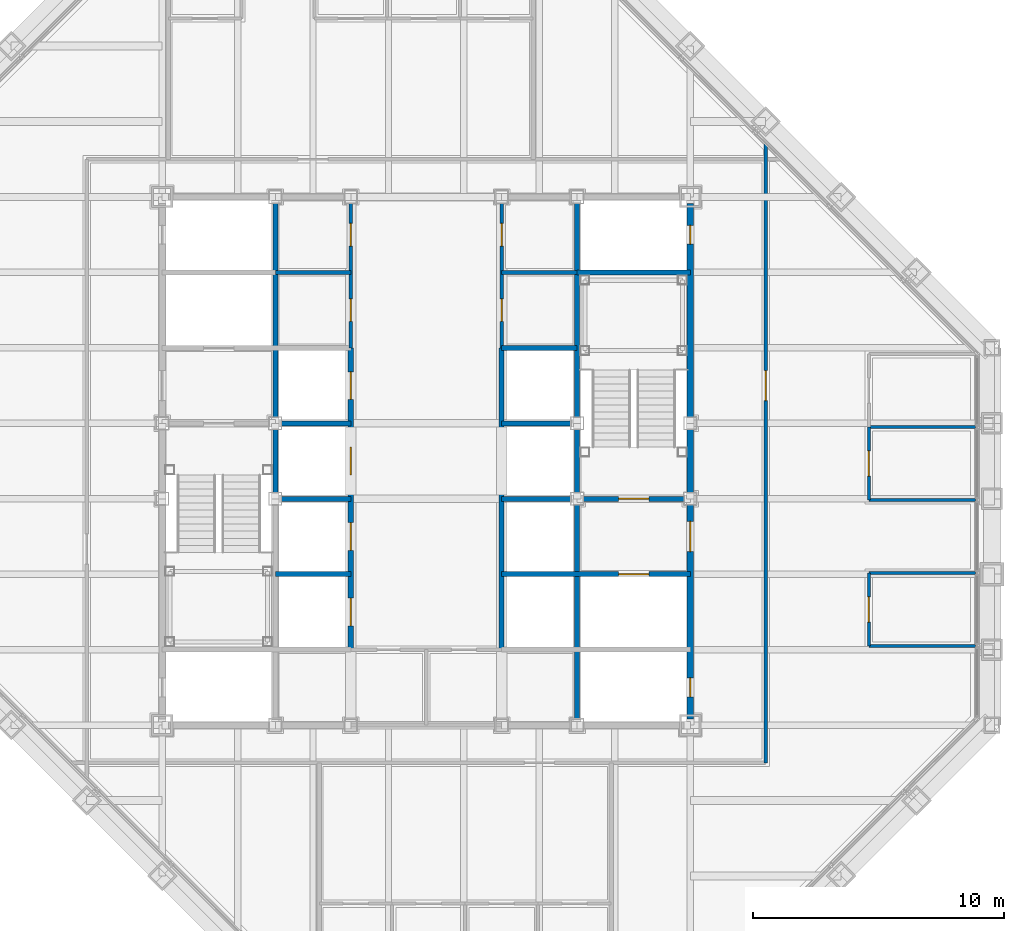
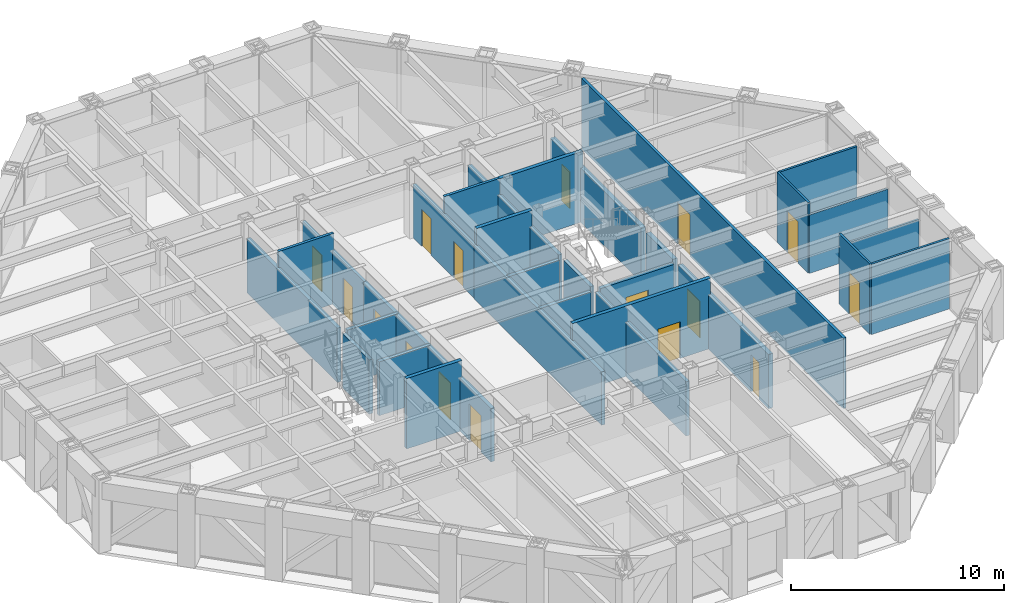
# One storey, part 12 of 16: 30 walls, 16 doors, 16 openings.
"""IFC4 building model written with IfcOpenShell, lengths in metres."""

from ifc_helpers import new_model, si_unit, direction, frame, frame_2d, origin, place, context, subcontext, project, spatial, rectangle, extrude, material, layer, layer_set, type_object, element, fill, save


model = new_model("IFC4")

# Units and contexts
model_context = context("Model", 3, precision=1e-05, world=origin(), true_north=direction((0.0, 1.0)))
body_context = subcontext(model_context, "Body", "Model", "MODEL_VIEW")
ifc_project = project(units=[si_unit("LENGTHUNIT", "METRE"), si_unit("AREAUNIT", "SQUARE_METRE"), si_unit("VOLUMEUNIT", "CUBIC_METRE"), si_unit("PLANEANGLEUNIT", "RADIAN"), si_unit("MASSUNIT", "GRAM", prefix="KILO")], contexts=[model_context])

# Site, building, storey
site_placement = place(None, origin())
site = spatial("IfcSite", under=ifc_project, at=site_placement, CompositionType="ELEMENT")
building_placement = place(site_placement, origin())
building = spatial("IfcBuilding", under=site, at=building_placement, Name="Chuquiago Exchange Tower", CompositionType="ELEMENT")
storey_placement = place(building_placement, frame((0.0, 0.0, 243.300048828125)))
storey = spatial("IfcBuildingStorey", under=building, at=storey_placement, Name="L54", CompositionType="ELEMENT", Elevation=243.300048828125)

# Wall, openings, doors
ifc_material_1 = material(Name="Concrete masonry, fully grouted", Category="masonry")
ifc_layer_1 = layer(ifc_material_1, 0.25)
ifc_layer_set_1 = layer_set([ifc_layer_1], Name="W1 core wall 250")
wall_type_1 = type_object("IfcWallType", Name="W1 core wall 250", PredefinedType="SOLIDWALL", material=ifc_layer_set_1)
wall_1_placement = place(storey_placement, frame((33.0, 12.25, 0.0), z_axis=(0.0, 0.0, 1.0), x_axis=(0.0, 1.0, 0.0)))
wall_1 = element("IfcWall", 1, at=wall_1_placement, inside=storey, type_object=wall_type_1, Name="CW-L54-25-0", PredefinedType="SOLIDWALL", context=body_context, shape_type="SweptSolid", body=[
    extrude(rectangle(XDim=8.5, YDim=0.25, at=frame_2d((4.25, 0.0))), origin(), (0.0, 0.0, 1.0), 3.11279296875),
])
opening_1_placement = place(wall_1_placement, frame((6.64990234375, 0.0, 0.0)))
opening_1 = element("IfcOpeningElement", 2, at=opening_1_placement, cuts=wall_1, Name="Opening L54-004", PredefinedType="OPENING", context=body_context, shape_type="SweptSolid", body=[
    extrude(rectangle(XDim=1.199951171875, YDim=2.10009765625, at=frame_2d((0.60009765625, 1.050048828125))), frame((0.0, 0.135009765625, 0.0), z_axis=(0.0, -1.0, 0.0), x_axis=(1.0, 0.0, 0.0)), (0.0, 0.0, 1.0), 0.27001953125),
])
opening_2_placement = place(wall_1_placement, frame((0.875, 0.0, 0.0)))
opening_2 = element("IfcOpeningElement", 3, at=opening_2_placement, cuts=wall_1, Name="Opening L54-009", PredefinedType="OPENING", context=body_context, shape_type="SweptSolid", body=[
    extrude(rectangle(XDim=0.75, YDim=2.10009765625, at=frame_2d((0.375, 1.050048828125))), frame((0.0, 0.135009765625, 0.0), z_axis=(0.0, -1.0, 0.0), x_axis=(1.0, 0.0, 0.0)), (0.0, 0.0, 1.0), 0.27001953125),
])
ifc_material_2 = material(Name="Steel door, painted", Category="steel")
door_type_1 = type_object("IfcDoorType", Name="D5 firefighting lobby door 1200x2100", OperationType="SINGLE_SWING_LEFT", PredefinedType="DOOR", material=ifc_material_2)
door_1_placement = place(opening_1_placement, origin())
door_1 = element("IfcDoor", 4, at=door_1_placement, inside=storey, type_object=door_type_1, Name="Firefighting lobby 2 door", OperationType="SINGLE_SWING_RIGHT", OverallHeight=2.10009765625, OverallWidth=1.199951171875, PredefinedType="DOOR", context=body_context, shape_type="SweptSolid", body=[
    extrude(rectangle(XDim=1.199951171875, YDim=2.10009765625, at=frame_2d((0.60009765625, 1.050048828125))), frame((0.0, 0.02490234375, 0.0), z_axis=(0.0, -1.0, 0.0), x_axis=(1.0, 0.0, 0.0)), (0.0, 0.0, 1.0), 0.050048828125),
])
fill(opening_1, door_1)
ifc_material_3 = material(Name="Steel door, painted", Category="steel")
door_type_2 = type_object("IfcDoorType", Name="D6 riser access door 750x2100", OperationType="SINGLE_SWING_LEFT", PredefinedType="DOOR", material=ifc_material_3)
door_2_placement = place(opening_2_placement, frame((0.75, 0.0, 0.0), z_axis=(0.0, 0.0, 1.0), x_axis=(-1.0, 0.0, 0.0)))
door_2 = element("IfcDoor", 5, at=door_2_placement, inside=storey, type_object=door_type_2, Name="Riser RE1 door", OperationType="SINGLE_SWING_RIGHT", OverallHeight=2.10009765625, OverallWidth=0.75, PredefinedType="DOOR", context=body_context, shape_type="SweptSolid", body=[
    extrude(rectangle(XDim=0.75, YDim=2.10009765625, at=frame_2d((0.375, 1.050048828125))), frame((0.0, 0.02490234375, 0.0), z_axis=(0.0, -1.0, 0.0), x_axis=(1.0, 0.0, 0.0)), (0.0, 0.0, 1.0), 0.050048828125),
])
fill(opening_2, door_2)

# Wall
wall_2_placement = place(storey_placement, frame((33.0, 21.25, 0.0), z_axis=(0.0, 0.0, 1.0), x_axis=(0.0, 1.0, 0.0)))
element("IfcWall", 6, at=wall_2_placement, inside=storey, type_object=wall_type_1, Name="CW-L54-25-1", PredefinedType="SOLIDWALL", context=body_context, shape_type="SweptSolid", body=[
    extrude(rectangle(XDim=2.5, YDim=0.25, at=frame_2d((1.25, 0.0))), origin(), (0.0, 0.0, 1.0), 3.11279296875),
])

# Wall, opening, door
wall_3_placement = place(storey_placement, frame((33.0, 24.25, 0.0), z_axis=(0.0, 0.0, 1.0), x_axis=(0.0, 1.0, 0.0)))
wall_3 = element("IfcWall", 7, at=wall_3_placement, inside=storey, type_object=wall_type_1, Name="CW-L54-25-2", PredefinedType="SOLIDWALL", context=body_context, shape_type="SweptSolid", body=[
    extrude(rectangle(XDim=8.5, YDim=0.25, at=frame_2d((4.25, 0.0))), origin(), (0.0, 0.0, 1.0), 3.11279296875),
])
opening_3_placement = place(wall_3_placement, frame((6.875, 0.0, 0.0)))
opening_3 = element("IfcOpeningElement", 8, at=opening_3_placement, cuts=wall_3, Name="Opening L54-010", PredefinedType="OPENING", context=body_context, shape_type="SweptSolid", body=[
    extrude(rectangle(XDim=0.75, YDim=2.10009765625, at=frame_2d((0.375, 1.050048828125))), frame((0.0, 0.135009765625, 0.0), z_axis=(0.0, -1.0, 0.0), x_axis=(1.0, 0.0, 0.0)), (0.0, 0.0, 1.0), 0.27001953125),
])
door_3_placement = place(opening_3_placement, frame((0.75, 0.0, 0.0), z_axis=(0.0, 0.0, 1.0), x_axis=(-1.0, 0.0, 0.0)))
door_3 = element("IfcDoor", 9, at=door_3_placement, inside=storey, type_object=door_type_2, Name="Riser RE2 door", OperationType="SINGLE_SWING_LEFT", OverallHeight=2.10009765625, OverallWidth=0.75, PredefinedType="DOOR", context=body_context, shape_type="SweptSolid", body=[
    extrude(rectangle(XDim=0.75, YDim=2.10009765625, at=frame_2d((0.375, 1.050048828125))), frame((0.0, 0.02490234375, 0.0), z_axis=(0.0, -1.0, 0.0), x_axis=(1.0, 0.0, 0.0)), (0.0, 0.0, 1.0), 0.050048828125),
])
fill(opening_3, door_3)

ifc_material_4 = material(Name="Gypsum board on steel studs, acoustic insulation", Category="steel")
ifc_layer_2 = layer(ifc_material_4, 0.14990234375)
ifc_layer_set_2 = layer_set([ifc_layer_2], Name="W11 corridor wall 150")
wall_type_2 = type_object("IfcWallType", Name="W11 corridor wall 150", PredefinedType="PARTITIONING", material=ifc_layer_set_2)
wall_4_placement = place(storey_placement, frame((36.0, 10.5, 0.0), z_axis=(0.0, 0.0, 1.0), x_axis=(0.0, 1.0, 0.0)))
wall_4 = element("IfcWall", 10, at=wall_4_placement, inside=storey, type_object=wall_type_2, Name="PW-L54-CE", PredefinedType="PARTITIONING", context=body_context, shape_type="SweptSolid", body=[
    extrude(rectangle(XDim=24.614501953125, YDim=0.14990234375, at=frame_2d((12.30712890625, 0.0))), origin(), (0.0, 0.0, 1.0), 4.0400390625),
])
opening_4_placement = place(wall_4_placement, frame((14.39990234375, 0.0, 0.0)))
opening_4 = element("IfcOpeningElement", 11, at=opening_4_placement, cuts=wall_4, Name="Opening L54-040", PredefinedType="OPENING", context=body_context, shape_type="SweptSolid", body=[
    extrude(rectangle(XDim=1.199951171875, YDim=2.39990234375, at=frame_2d((0.60009765625, 1.199951171875))), frame((0.0, 0.0849609375, 0.0), z_axis=(0.0, -1.0, 0.0), x_axis=(1.0, 0.0, 0.0)), (0.0, 0.0, 1.0), 0.169921875),
])
ifc_material_5 = material(Name="Timber door, laminate faced", Category="wood")
door_type_3 = type_object("IfcDoorType", Name="D13 suite entrance door 1200x2400", OperationType="SINGLE_SWING_LEFT", PredefinedType="DOOR", material=ifc_material_5)
door_4_placement = place(opening_4_placement, frame((1.199951171875, 0.0, 0.0), z_axis=(0.0, 0.0, 1.0), x_axis=(-1.0, 0.0, 0.0)))
door_4 = element("IfcDoor", 12, at=door_4_placement, inside=storey, type_object=door_type_3, Name="East suite entrance door", OperationType="SINGLE_SWING_LEFT", OverallHeight=2.39990234375, OverallWidth=1.199951171875, PredefinedType="DOOR", context=body_context, shape_type="SweptSolid", body=[
    extrude(rectangle(XDim=1.199951171875, YDim=2.39990234375, at=frame_2d((0.60009765625, 1.199951171875))), frame((0.0, 0.02490234375, 0.0), z_axis=(0.0, -1.0, 0.0), x_axis=(1.0, 0.0, 0.0)), (0.0, 0.0, 1.0), 0.050048828125),
])
fill(opening_4, door_4)

# Walls
ifc_material_6 = material(Name="Concrete masonry, fully grouted", Category="masonry")
ifc_layer_3 = layer(ifc_material_6, 0.199951171875)
ifc_layer_set_3 = layer_set([ifc_layer_3], Name="W2 shaft wall 200")
wall_type_3 = type_object("IfcWallType", Name="W2 shaft wall 200", PredefinedType="SOLIDWALL", material=ifc_layer_set_3)
for number, where, z_axis, x_axis, name in (
    (13, (16.75, 24.0, 0.0), (0.0, 0.0, 1.0), (1.0, 0.0, 0.0), "CW-L54-05-1"),
    (14, (25.5, 24.0, 0.0), (0.0, 0.0, 1.0), (1.0, 0.0, 0.0), "CW-L54-06-0"),
):
    element("IfcWall", number, at=place(storey_placement, frame(where, z_axis=z_axis, x_axis=x_axis)), inside=storey, type_object=wall_type_3, Name=name, PredefinedType="SOLIDWALL", context=body_context, shape_type="SweptSolid", body=[
        extrude(rectangle(XDim=2.75, YDim=0.199951171875, at=frame_2d((1.375, 0.0))), origin(), (0.0, 0.0, 1.0), 3.08984375),
    ])
wall_5_placement = place(storey_placement, frame((25.5, 27.0, 0.0), z_axis=(0.0, 0.0, 1.0), x_axis=(1.0, 0.0, 0.0)))
element("IfcWall", 15, at=wall_5_placement, inside=storey, type_object=wall_type_3, Name="CW-L54-08-0", PredefinedType="SOLIDWALL", context=body_context, shape_type="SweptSolid", body=[
    extrude(rectangle(XDim=3.0, YDim=0.199951171875, at=frame_2d((1.5, 0.0))), origin(), (0.0, 0.0, 1.0), 4.0400390625),
])
wall_6_placement = place(storey_placement, frame((28.5, 30.0, 0.0), z_axis=(0.0, 0.0, 1.0), x_axis=(1.0, 0.0, 0.0)))
element("IfcWall", 16, at=wall_6_placement, inside=storey, type_object=wall_type_3, Name="CW-L54-10-0", PredefinedType="SOLIDWALL", context=body_context, shape_type="SweptSolid", body=[
    extrude(rectangle(XDim=4.5, YDim=0.199951171875, at=frame_2d((2.25, 0.0))), origin(), (0.0, 0.0, 1.0), 4.0400390625),
])
wall_7_placement = place(storey_placement, frame((16.5, 21.25, 0.0), z_axis=(0.0, 0.0, 1.0), x_axis=(0.0, 1.0, 0.0)))
element("IfcWall", 17, at=wall_7_placement, inside=storey, type_object=wall_type_3, Name="CW-L54-13-1", PredefinedType="SOLIDWALL", context=body_context, shape_type="SweptSolid", body=[
    extrude(rectangle(XDim=2.5, YDim=0.199951171875, at=frame_2d((1.25, 0.0))), origin(), (0.0, 0.0, 1.0), 3.11279296875),
])
wall_8_placement = place(storey_placement, frame((16.5, 24.25, 0.0), z_axis=(0.0, 0.0, 1.0), x_axis=(0.0, 1.0, 0.0)))
element("IfcWall", 18, at=wall_8_placement, inside=storey, type_object=wall_type_3, Name="CW-L54-13-2", PredefinedType="SOLIDWALL", context=body_context, shape_type="SweptSolid", body=[
    extrude(rectangle(XDim=8.5, YDim=0.199951171875, at=frame_2d((4.25, 0.0))), origin(), (0.0, 0.0, 1.0), 3.11279296875),
])
wall_9_placement = place(storey_placement, frame((16.5, 18.0, 0.0), z_axis=(0.0, 0.0, 1.0), x_axis=(1.0, 0.0, 0.0)))
element("IfcWall", 19, at=wall_9_placement, inside=storey, type_object=wall_type_3, Name="CW-L54-14-0", PredefinedType="SOLIDWALL", context=body_context, shape_type="SweptSolid", body=[
    extrude(rectangle(XDim=3.0, YDim=0.199951171875, at=frame_2d((1.5, 0.0))), origin(), (0.0, 0.0, 1.0), 4.0400390625),
])

# Wall, opening, door
wall_10_placement = place(storey_placement, frame((25.5, 18.0, 0.0), z_axis=(0.0, 0.0, 1.0), x_axis=(1.0, 0.0, 0.0)))
wall_10 = element("IfcWall", 20, at=wall_10_placement, inside=storey, type_object=wall_type_3, Name="CW-L54-15-0", PredefinedType="SOLIDWALL", context=body_context, shape_type="SweptSolid", body=[
    extrude(rectangle(XDim=7.5, YDim=0.199951171875, at=frame_2d((3.75, 0.0))), origin(), (0.0, 0.0, 1.0), 4.0400390625),
])
opening_5_placement = place(wall_10_placement, frame((4.64990234375, 0.0, 0.0)))
opening_5 = element("IfcOpeningElement", 21, at=opening_5_placement, cuts=wall_10, Name="Opening L54-006", PredefinedType="OPENING", context=body_context, shape_type="SweptSolid", body=[
    extrude(rectangle(XDim=1.199951171875, YDim=2.10009765625, at=frame_2d((0.60009765625, 1.050048828125))), frame((0.0, 0.10986328125, 0.0), z_axis=(0.0, -1.0, 0.0), x_axis=(1.0, 0.0, 0.0)), (0.0, 0.0, 1.0), 0.219970703125),
])
ifc_material_7 = material(Name="Stainless steel lift landing door", Category="steel")
door_type_4 = type_object("IfcDoorType", Name="LD2 firefighting lift landing door 1200x2100", OperationType="DOUBLE_DOOR_SLIDING", PredefinedType="DOOR", material=ifc_material_7)
door_5_placement = place(opening_5_placement, origin())
door_5 = element("IfcDoor", 22, at=door_5_placement, inside=storey, type_object=door_type_4, Name="Firefighting lift FL2 landing door", OperationType="DOUBLE_DOOR_SLIDING", OverallHeight=2.10009765625, OverallWidth=1.199951171875, PredefinedType="DOOR", context=body_context, shape_type="SweptSolid", body=[
    extrude(rectangle(XDim=1.199951171875, YDim=2.10009765625, at=frame_2d((0.60009765625, 1.050048828125))), frame((0.0, 0.02490234375, 0.0), z_axis=(0.0, -1.0, 0.0), x_axis=(1.0, 0.0, 0.0)), (0.0, 0.0, 1.0), 0.050048828125),
])
fill(opening_5, door_5)

# Walls
for number, where, z_axis, x_axis, name in (
    (23, (16.75, 21.0, 0.0), (0.0, 0.0, 1.0), (1.0, 0.0, 0.0), "CW-L54-16-0"),
    (24, (25.5, 21.0, 0.0), (0.0, 0.0, 1.0), (1.0, 0.0, 0.0), "CW-L54-17-0"),
):
    element("IfcWall", number, at=place(storey_placement, frame(where, z_axis=z_axis, x_axis=x_axis)), inside=storey, type_object=wall_type_3, Name=name, PredefinedType="SOLIDWALL", context=body_context, shape_type="SweptSolid", body=[
        extrude(rectangle(XDim=2.75, YDim=0.199951171875, at=frame_2d((1.375, 0.0))), origin(), (0.0, 0.0, 1.0), 3.08984375),
    ])

# Wall, opening, door
wall_11_placement = place(storey_placement, frame((28.75, 21.0, 0.0), z_axis=(0.0, 0.0, 1.0), x_axis=(1.0, 0.0, 0.0)))
wall_11 = element("IfcWall", 25, at=wall_11_placement, inside=storey, type_object=wall_type_3, Name="CW-L54-17-1", PredefinedType="SOLIDWALL", context=body_context, shape_type="SweptSolid", body=[
    extrude(rectangle(XDim=4.0, YDim=0.199951171875, at=frame_2d((2.0, 0.0))), origin(), (0.0, 0.0, 1.0), 3.08984375),
])
opening_6_placement = place(wall_11_placement, frame((1.39990234375, 0.0, 0.0)))
opening_6 = element("IfcOpeningElement", 26, at=opening_6_placement, cuts=wall_11, Name="Opening L54-003", PredefinedType="OPENING", context=body_context, shape_type="SweptSolid", body=[
    extrude(rectangle(XDim=1.199951171875, YDim=2.10009765625, at=frame_2d((0.60009765625, 1.050048828125))), frame((0.0, 0.10986328125, 0.0), z_axis=(0.0, -1.0, 0.0), x_axis=(1.0, 0.0, 0.0)), (0.0, 0.0, 1.0), 0.219970703125),
])
ifc_material_8 = material(Name="Steel door, painted", Category="steel")
door_type_5 = type_object("IfcDoorType", Name="D4 stair door 1200x2100", OperationType="SINGLE_SWING_LEFT", PredefinedType="DOOR", material=ifc_material_8)
door_6_placement = place(opening_6_placement, origin())
door_6 = element("IfcDoor", 27, at=door_6_placement, inside=storey, type_object=door_type_5, Name="Stair ST2 door", OperationType="SINGLE_SWING_LEFT", OverallHeight=2.10009765625, OverallWidth=1.199951171875, PredefinedType="DOOR", context=body_context, shape_type="SweptSolid", body=[
    extrude(rectangle(XDim=1.199951171875, YDim=2.10009765625, at=frame_2d((0.60009765625, 1.050048828125))), frame((0.0, 0.02490234375, 0.0), z_axis=(0.0, -1.0, 0.0), x_axis=(1.0, 0.0, 0.0)), (0.0, 0.0, 1.0), 0.050048828125),
])
fill(opening_6, door_6)

# Wall, openings, doors
wall_12_placement = place(storey_placement, frame((19.5, 15.0, 0.0), z_axis=(0.0, 0.0, 1.0), x_axis=(0.0, 1.0, 0.0)))
wall_12 = element("IfcWall", 28, at=wall_12_placement, inside=storey, type_object=wall_type_3, Name="CW-L54-19-0", PredefinedType="SOLIDWALL", context=body_context, shape_type="SweptSolid", body=[
    extrude(rectangle(XDim=12.0, YDim=0.199951171875, at=frame_2d((6.0, 0.0))), origin(), (0.0, 0.0, 1.0), 3.064453125),
])
opening_7_placement = place(wall_12_placement, frame((0.949951171875, 0.0, 0.0)))
opening_7 = element("IfcOpeningElement", 29, at=opening_7_placement, cuts=wall_12, Name="Opening L54-017", PredefinedType="OPENING", context=body_context, shape_type="SweptSolid", body=[
    extrude(rectangle(XDim=1.10009765625, YDim=2.10009765625, at=frame_2d((0.550048828125, 1.050048828125))), frame((0.0, 0.10986328125, 0.0), z_axis=(0.0, -1.0, 0.0), x_axis=(1.0, 0.0, 0.0)), (0.0, 0.0, 1.0), 0.219970703125),
])
opening_8_placement = place(wall_12_placement, frame((3.949951171875, 0.0, 0.0)))
opening_8 = element("IfcOpeningElement", 30, at=opening_8_placement, cuts=wall_12, Name="Opening L54-018", PredefinedType="OPENING", context=body_context, shape_type="SweptSolid", body=[
    extrude(rectangle(XDim=1.10009765625, YDim=2.10009765625, at=frame_2d((0.550048828125, 1.050048828125))), frame((0.0, 0.10986328125, 0.0), z_axis=(0.0, -1.0, 0.0), x_axis=(1.0, 0.0, 0.0)), (0.0, 0.0, 1.0), 0.219970703125),
])
opening_9_placement = place(wall_12_placement, frame((6.949951171875, 0.0, 0.0)))
opening_9 = element("IfcOpeningElement", 31, at=opening_9_placement, cuts=wall_12, Name="Opening L54-019", PredefinedType="OPENING", context=body_context, shape_type="SweptSolid", body=[
    extrude(rectangle(XDim=1.10009765625, YDim=2.10009765625, at=frame_2d((0.550048828125, 1.050048828125))), frame((0.0, 0.10986328125, 0.0), z_axis=(0.0, -1.0, 0.0), x_axis=(1.0, 0.0, 0.0)), (0.0, 0.0, 1.0), 0.219970703125),
])
opening_10_placement = place(wall_12_placement, frame((9.949951171875, 0.0, 0.0)))
opening_10 = element("IfcOpeningElement", 32, at=opening_10_placement, cuts=wall_12, Name="Opening L54-020", PredefinedType="OPENING", context=body_context, shape_type="SweptSolid", body=[
    extrude(rectangle(XDim=1.10009765625, YDim=2.10009765625, at=frame_2d((0.550048828125, 1.050048828125))), frame((0.0, 0.10986328125, 0.0), z_axis=(0.0, -1.0, 0.0), x_axis=(1.0, 0.0, 0.0)), (0.0, 0.0, 1.0), 0.219970703125),
])
ifc_material_9 = material(Name="Stainless steel lift landing door", Category="steel")
door_type_6 = type_object("IfcDoorType", Name="LD1 lift landing door 1100x2100", OperationType="DOUBLE_DOOR_SLIDING", PredefinedType="DOOR", material=ifc_material_9)
door_7_placement = place(opening_7_placement, origin())
door_7 = element("IfcDoor", 33, at=door_7_placement, inside=storey, type_object=door_type_6, Name="Lift LC1 landing door", OperationType="DOUBLE_DOOR_SLIDING", OverallHeight=2.10009765625, OverallWidth=1.10009765625, PredefinedType="DOOR", context=body_context, shape_type="SweptSolid", body=[
    extrude(rectangle(XDim=1.10009765625, YDim=2.10009765625, at=frame_2d((0.550048828125, 1.050048828125))), frame((0.0, 0.02490234375, 0.0), z_axis=(0.0, -1.0, 0.0), x_axis=(1.0, 0.0, 0.0)), (0.0, 0.0, 1.0), 0.050048828125),
])
fill(opening_7, door_7)
door_8_placement = place(opening_8_placement, origin())
door_8 = element("IfcDoor", 34, at=door_8_placement, inside=storey, type_object=door_type_6, Name="Lift LC2 landing door", OperationType="DOUBLE_DOOR_SLIDING", OverallHeight=2.10009765625, OverallWidth=1.10009765625, PredefinedType="DOOR", context=body_context, shape_type="SweptSolid", body=[
    extrude(rectangle(XDim=1.10009765625, YDim=2.10009765625, at=frame_2d((0.550048828125, 1.050048828125))), frame((0.0, 0.02490234375, 0.0), z_axis=(0.0, -1.0, 0.0), x_axis=(1.0, 0.0, 0.0)), (0.0, 0.0, 1.0), 0.050048828125),
])
fill(opening_8, door_8)
door_9_placement = place(opening_9_placement, origin())
door_9 = element("IfcDoor", 35, at=door_9_placement, inside=storey, type_object=door_type_6, Name="Lift LC3 landing door", OperationType="DOUBLE_DOOR_SLIDING", OverallHeight=2.10009765625, OverallWidth=1.10009765625, PredefinedType="DOOR", context=body_context, shape_type="SweptSolid", body=[
    extrude(rectangle(XDim=1.10009765625, YDim=2.10009765625, at=frame_2d((0.550048828125, 1.050048828125))), frame((0.0, 0.02490234375, 0.0), z_axis=(0.0, -1.0, 0.0), x_axis=(1.0, 0.0, 0.0)), (0.0, 0.0, 1.0), 0.050048828125),
])
fill(opening_9, door_9)
door_10_placement = place(opening_10_placement, origin())
door_10 = element("IfcDoor", 36, at=door_10_placement, inside=storey, type_object=door_type_6, Name="Lift LC4 landing door", OperationType="DOUBLE_DOOR_SLIDING", OverallHeight=2.10009765625, OverallWidth=1.10009765625, PredefinedType="DOOR", context=body_context, shape_type="SweptSolid", body=[
    extrude(rectangle(XDim=1.10009765625, YDim=2.10009765625, at=frame_2d((0.550048828125, 1.050048828125))), frame((0.0, 0.02490234375, 0.0), z_axis=(0.0, -1.0, 0.0), x_axis=(1.0, 0.0, 0.0)), (0.0, 0.0, 1.0), 0.050048828125),
])
fill(opening_10, door_10)

# Walls
wall_13_placement = place(storey_placement, frame((25.5, 15.0, 0.0), z_axis=(0.0, 0.0, 1.0), x_axis=(0.0, 1.0, 0.0)))
element("IfcWall", 37, at=wall_13_placement, inside=storey, type_object=wall_type_3, Name="CW-L54-22-0", PredefinedType="SOLIDWALL", context=body_context, shape_type="SweptSolid", body=[
    extrude(rectangle(XDim=12.0, YDim=0.199951171875, at=frame_2d((6.0, 0.0))), origin(), (0.0, 0.0, 1.0), 3.064453125),
])
wall_14_placement = place(storey_placement, frame((28.5, 12.25, 0.0), z_axis=(0.0, 0.0, 1.0), x_axis=(0.0, 1.0, 0.0)))
element("IfcWall", 38, at=wall_14_placement, inside=storey, type_object=wall_type_3, Name="CW-L54-24-0", PredefinedType="SOLIDWALL", context=body_context, shape_type="SweptSolid", body=[
    extrude(rectangle(XDim=8.5, YDim=0.199951171875, at=frame_2d((4.25, 0.0))), origin(), (0.0, 0.0, 1.0), 3.11279296875),
])
wall_15_placement = place(storey_placement, frame((28.5, 21.25, 0.0), z_axis=(0.0, 0.0, 1.0), x_axis=(0.0, 1.0, 0.0)))
element("IfcWall", 39, at=wall_15_placement, inside=storey, type_object=wall_type_3, Name="CW-L54-24-1", PredefinedType="SOLIDWALL", context=body_context, shape_type="SweptSolid", body=[
    extrude(rectangle(XDim=2.5, YDim=0.199951171875, at=frame_2d((1.25, 0.0))), origin(), (0.0, 0.0, 1.0), 3.11279296875),
])
wall_16_placement = place(storey_placement, frame((28.5, 24.25, 0.0), z_axis=(0.0, 0.0, 1.0), x_axis=(0.0, 1.0, 0.0)))
element("IfcWall", 40, at=wall_16_placement, inside=storey, type_object=wall_type_3, Name="CW-L54-24-2", PredefinedType="SOLIDWALL", context=body_context, shape_type="SweptSolid", body=[
    extrude(rectangle(XDim=8.5, YDim=0.199951171875, at=frame_2d((4.25, 0.0))), origin(), (0.0, 0.0, 1.0), 3.11279296875),
])

# Wall, openings, doors
ifc_material_10 = material(Name="Gypsum board on steel studs", Category="steel")
ifc_layer_4 = layer(ifc_material_10, 0.14990234375)
ifc_layer_set_4 = layer_set([ifc_layer_4], Name="W3 core partition 150")
wall_type_4 = type_object("IfcWallType", Name="W3 core partition 150", PredefinedType="PARTITIONING", material=ifc_layer_set_4)
wall_17_placement = place(storey_placement, frame((19.5, 27.0, 0.0), z_axis=(0.0, 0.0, 1.0), x_axis=(0.0, 1.0, 0.0)))
wall_17 = element("IfcWall", 41, at=wall_17_placement, inside=storey, type_object=wall_type_4, Name="CW-L54-20-0", PredefinedType="PARTITIONING", context=body_context, shape_type="SweptSolid", body=[
    extrude(rectangle(XDim=5.75, YDim=0.14990234375, at=frame_2d((2.875, 0.0))), origin(), (0.0, 0.0, 1.0), 3.064453125),
])
opening_11_placement = place(wall_17_placement, frame((1.050048828125, 0.0, 0.0)))
opening_11 = element("IfcOpeningElement", 42, at=opening_11_placement, cuts=wall_17, Name="Opening L54-011", PredefinedType="OPENING", context=body_context, shape_type="SweptSolid", body=[
    extrude(rectangle(XDim=0.89990234375, YDim=2.10009765625, at=frame_2d((0.449951171875, 1.050048828125))), frame((0.0, 0.0849609375, 0.0), z_axis=(0.0, -1.0, 0.0), x_axis=(1.0, 0.0, 0.0)), (0.0, 0.0, 1.0), 0.169921875),
])
opening_12_placement = place(wall_17_placement, frame((4.050048828125, 0.0, 0.0)))
opening_12 = element("IfcOpeningElement", 43, at=opening_12_placement, cuts=wall_17, Name="Opening L54-012", PredefinedType="OPENING", context=body_context, shape_type="SweptSolid", body=[
    extrude(rectangle(XDim=0.89990234375, YDim=2.10009765625, at=frame_2d((0.449951171875, 1.050048828125))), frame((0.0, 0.0849609375, 0.0), z_axis=(0.0, -1.0, 0.0), x_axis=(1.0, 0.0, 0.0)), (0.0, 0.0, 1.0), 0.169921875),
])
ifc_material_11 = material(Name="Timber door, laminate faced", Category="wood")
door_type_7 = type_object("IfcDoorType", Name="D16 core room door 900x2100", OperationType="SINGLE_SWING_LEFT", PredefinedType="DOOR", material=ifc_material_11)
door_11_placement = place(opening_12_placement, origin())
door_11 = element("IfcDoor", 44, at=door_11_placement, inside=storey, type_object=door_type_7, Name="Staff shower room door", OperationType="SINGLE_SWING_RIGHT", OverallHeight=2.10009765625, OverallWidth=0.89990234375, PredefinedType="DOOR", context=body_context, shape_type="SweptSolid", body=[
    extrude(rectangle(XDim=0.89990234375, YDim=2.10009765625, at=frame_2d((0.449951171875, 1.050048828125))), frame((0.0, 0.02490234375, 0.0), z_axis=(0.0, -1.0, 0.0), x_axis=(1.0, 0.0, 0.0)), (0.0, 0.0, 1.0), 0.050048828125),
])
fill(opening_12, door_11)
ifc_material_12 = material(Name="Timber door, laminate faced", Category="wood")
door_type_8 = type_object("IfcDoorType", Name="D7 toilet door 900x2100", OperationType="SINGLE_SWING_LEFT", PredefinedType="DOOR", material=ifc_material_12)
door_12_placement = place(opening_11_placement, origin())
door_12 = element("IfcDoor", 45, at=door_12_placement, inside=storey, type_object=door_type_8, Name="Male WC door", OperationType="SINGLE_SWING_LEFT", OverallHeight=2.10009765625, OverallWidth=0.89990234375, PredefinedType="DOOR", context=body_context, shape_type="SweptSolid", body=[
    extrude(rectangle(XDim=0.89990234375, YDim=2.10009765625, at=frame_2d((0.449951171875, 1.050048828125))), frame((0.0, 0.02490234375, 0.0), z_axis=(0.0, -1.0, 0.0), x_axis=(1.0, 0.0, 0.0)), (0.0, 0.0, 1.0), 0.050048828125),
])
fill(opening_11, door_12)

wall_18_placement = place(storey_placement, frame((25.5, 27.0, 0.0), z_axis=(0.0, 0.0, 1.0), x_axis=(0.0, 1.0, 0.0)))
wall_18 = element("IfcWall", 46, at=wall_18_placement, inside=storey, type_object=wall_type_4, Name="CW-L54-23-0", PredefinedType="PARTITIONING", context=body_context, shape_type="SweptSolid", body=[
    extrude(rectangle(XDim=5.75, YDim=0.14990234375, at=frame_2d((2.875, 0.0))), origin(), (0.0, 0.0, 1.0), 3.064453125),
])
opening_13_placement = place(wall_18_placement, frame((1.050048828125, 0.0, 0.0)))
opening_13 = element("IfcOpeningElement", 47, at=opening_13_placement, cuts=wall_18, Name="Opening L54-013", PredefinedType="OPENING", context=body_context, shape_type="SweptSolid", body=[
    extrude(rectangle(XDim=0.89990234375, YDim=2.10009765625, at=frame_2d((0.449951171875, 1.050048828125))), frame((0.0, 0.0849609375, 0.0), z_axis=(0.0, -1.0, 0.0), x_axis=(1.0, 0.0, 0.0)), (0.0, 0.0, 1.0), 0.169921875),
])
opening_14_placement = place(wall_18_placement, frame((4.050048828125, 0.0, 0.0)))
opening_14 = element("IfcOpeningElement", 48, at=opening_14_placement, cuts=wall_18, Name="Opening L54-014", PredefinedType="OPENING", context=body_context, shape_type="SweptSolid", body=[
    extrude(rectangle(XDim=0.89990234375, YDim=2.10009765625, at=frame_2d((0.449951171875, 1.050048828125))), frame((0.0, 0.0849609375, 0.0), z_axis=(0.0, -1.0, 0.0), x_axis=(1.0, 0.0, 0.0)), (0.0, 0.0, 1.0), 0.169921875),
])
door_13_placement = place(opening_14_placement, frame((0.89990234375, 0.0, 0.0), z_axis=(0.0, 0.0, 1.0), x_axis=(-1.0, 0.0, 0.0)))
door_13 = element("IfcDoor", 49, at=door_13_placement, inside=storey, type_object=door_type_7, Name="Baby change room door", OperationType="SINGLE_SWING_LEFT", OverallHeight=2.10009765625, OverallWidth=0.89990234375, PredefinedType="DOOR", context=body_context, shape_type="SweptSolid", body=[
    extrude(rectangle(XDim=0.89990234375, YDim=2.10009765625, at=frame_2d((0.449951171875, 1.050048828125))), frame((0.0, 0.02490234375, 0.0), z_axis=(0.0, -1.0, 0.0), x_axis=(1.0, 0.0, 0.0)), (0.0, 0.0, 1.0), 0.050048828125),
])
fill(opening_14, door_13)
door_14_placement = place(opening_13_placement, frame((0.89990234375, 0.0, 0.0), z_axis=(0.0, 0.0, 1.0), x_axis=(-1.0, 0.0, 0.0)))
door_14 = element("IfcDoor", 50, at=door_14_placement, inside=storey, type_object=door_type_8, Name="Female WC door", OperationType="SINGLE_SWING_RIGHT", OverallHeight=2.10009765625, OverallWidth=0.89990234375, PredefinedType="DOOR", context=body_context, shape_type="SweptSolid", body=[
    extrude(rectangle(XDim=0.89990234375, YDim=2.10009765625, at=frame_2d((0.449951171875, 1.050048828125))), frame((0.0, 0.02490234375, 0.0), z_axis=(0.0, -1.0, 0.0), x_axis=(1.0, 0.0, 0.0)), (0.0, 0.0, 1.0), 0.050048828125),
])
fill(opening_13, door_14)

# Walls
for number, where, z_axis, x_axis, name in (
    (51, (16.5, 30.0, 0.0), (0.0, 0.0, 1.0), (1.0, 0.0, 0.0), "CW-L54-WCMS"),
    (52, (25.5, 30.0, 0.0), (0.0, 0.0, 1.0), (1.0, 0.0, 0.0), "CW-L54-WCFS"),
):
    element("IfcWall", number, at=place(storey_placement, frame(where, z_axis=z_axis, x_axis=x_axis)), inside=storey, type_object=wall_type_4, Name=name, PredefinedType="PARTITIONING", context=body_context, shape_type="SweptSolid", body=[
        extrude(rectangle(XDim=3.0, YDim=0.14990234375, at=frame_2d((1.5, 0.0))), origin(), (0.0, 0.0, 1.0), 4.0400390625),
    ])
ifc_material_13 = material(Name="Gypsum board on steel studs", Category="steel")
ifc_layer_5 = layer(ifc_material_13, 0.1201171875)
ifc_layer_set_5 = layer_set([ifc_layer_5], Name="W4 partition 120")
wall_type_5 = type_object("IfcWallType", Name="W4 partition 120", PredefinedType="PARTITIONING", material=ifc_layer_set_5)
wall_19_placement = place(storey_placement, frame((44.347412109375, 15.149169921875, 0.0), z_axis=(0.0, 0.0, 1.0), x_axis=(-1.0, 0.0, 0.0)))
element("IfcWall", 53, at=wall_19_placement, inside=storey, type_object=wall_type_5, Name="PW-L54-E01515", PredefinedType="PARTITIONING", context=body_context, shape_type="SweptSolid", body=[
    extrude(rectangle(XDim=4.247314453125, YDim=0.1201171875, at=frame_2d((2.12353515625, 0.0))), origin(), (0.0, 0.0, 1.0), 4.0400390625),
])
for number, where, z_axis, x_axis, name in (
    (54, (44.347412109375, 18.0498046875, 0.0), (0.0, 0.0, 1.0), (-1.0, 0.0, 0.0), "PW-L54-E01805"),
    (55, (44.347412109375, 20.9501953125, 0.0), (0.0, 0.0, 1.0), (-1.0, 0.0, 0.0), "PW-L54-E02095"),
):
    element("IfcWall", number, at=place(storey_placement, frame(where, z_axis=z_axis, x_axis=x_axis)), inside=storey, type_object=wall_type_5, Name=name, PredefinedType="PARTITIONING", context=body_context, shape_type="SweptSolid", body=[
        extrude(rectangle(XDim=4.247314453125, YDim=0.1201171875, at=frame_2d((2.12353515625, 0.0))), origin(), (0.0, 0.0, 1.0), 3.356689453125),
    ])
wall_20_placement = place(storey_placement, frame((44.347412109375, 23.850830078125, 0.0), z_axis=(0.0, 0.0, 1.0), x_axis=(-1.0, 0.0, 0.0)))
element("IfcWall", 56, at=wall_20_placement, inside=storey, type_object=wall_type_5, Name="PW-L54-E02385", PredefinedType="PARTITIONING", context=body_context, shape_type="SweptSolid", body=[
    extrude(rectangle(XDim=4.247314453125, YDim=0.1201171875, at=frame_2d((2.12353515625, 0.0))), origin(), (0.0, 0.0, 1.0), 4.0400390625),
])

# Wall, opening, door
wall_21_placement = place(storey_placement, frame((40.10009765625, 15.149169921875, 0.0), z_axis=(0.0, 0.0, 1.0), x_axis=(0.0, 1.0, 0.0)))
wall_21 = element("IfcWall", 57, at=wall_21_placement, inside=storey, type_object=wall_type_5, Name="PW-L54-EF01515", PredefinedType="PARTITIONING", context=body_context, shape_type="SweptSolid", body=[
    extrude(rectangle(XDim=2.900634765625, YDim=0.1201171875, at=frame_2d((1.4501953125, 0.0))), origin(), (0.0, 0.0, 1.0), 4.0400390625),
])
opening_15_placement = place(wall_21_placement, frame((0.9501953125, 0.0, 0.0)))
opening_15 = element("IfcOpeningElement", 58, at=opening_15_placement, cuts=wall_21, Name="Opening L54-025", PredefinedType="OPENING", context=body_context, shape_type="SweptSolid", body=[
    extrude(rectangle(XDim=1.0, YDim=2.39990234375, at=frame_2d((0.5, 1.199951171875))), frame((0.0, 0.070068359375, 0.0), z_axis=(0.0, -1.0, 0.0), x_axis=(1.0, 0.0, 0.0)), (0.0, 0.0, 1.0), 0.14013671875),
])
ifc_material_14 = material(Name="Timber door, laminate faced", Category="wood")
door_type_9 = type_object("IfcDoorType", Name="D9 room door 1000x2400", OperationType="SINGLE_SWING_LEFT", PredefinedType="DOOR", material=ifc_material_14)
door_15_placement = place(opening_15_placement, frame((1.0, 0.0, 0.0), z_axis=(0.0, 0.0, 1.0), x_axis=(-1.0, 0.0, 0.0)))
door_15 = element("IfcDoor", 59, at=door_15_placement, inside=storey, type_object=door_type_9, Name="Reception door", OperationType="SINGLE_SWING_RIGHT", OverallHeight=2.39990234375, OverallWidth=1.0, PredefinedType="DOOR", context=body_context, shape_type="SweptSolid", body=[
    extrude(rectangle(XDim=1.0, YDim=2.39990234375, at=frame_2d((0.5, 1.199951171875))), frame((0.0, 0.02490234375, 0.0), z_axis=(0.0, -1.0, 0.0), x_axis=(1.0, 0.0, 0.0)), (0.0, 0.0, 1.0), 0.050048828125),
])
fill(opening_15, door_15)

wall_22_placement = place(storey_placement, frame((40.10009765625, 20.9501953125, 0.0), z_axis=(0.0, 0.0, 1.0), x_axis=(0.0, 1.0, 0.0)))
wall_22 = element("IfcWall", 60, at=wall_22_placement, inside=storey, type_object=wall_type_5, Name="PW-L54-EF02095", PredefinedType="PARTITIONING", context=body_context, shape_type="SweptSolid", body=[
    extrude(rectangle(XDim=2.900634765625, YDim=0.1201171875, at=frame_2d((1.4501953125, 0.0))), origin(), (0.0, 0.0, 1.0), 4.0400390625),
])
opening_16_placement = place(wall_22_placement, frame((0.9501953125, 0.0, 0.0)))
opening_16 = element("IfcOpeningElement", 61, at=opening_16_placement, cuts=wall_22, Name="Opening L54-026", PredefinedType="OPENING", context=body_context, shape_type="SweptSolid", body=[
    extrude(rectangle(XDim=1.0, YDim=2.39990234375, at=frame_2d((0.5, 1.199951171875))), frame((0.0, 0.070068359375, 0.0), z_axis=(0.0, -1.0, 0.0), x_axis=(1.0, 0.0, 0.0)), (0.0, 0.0, 1.0), 0.14013671875),
])
door_16_placement = place(opening_16_placement, frame((1.0, 0.0, 0.0), z_axis=(0.0, 0.0, 1.0), x_axis=(-1.0, 0.0, 0.0)))
door_16 = element("IfcDoor", 62, at=door_16_placement, inside=storey, type_object=door_type_9, Name="Office door", OperationType="SINGLE_SWING_RIGHT", OverallHeight=2.39990234375, OverallWidth=1.0, PredefinedType="DOOR", context=body_context, shape_type="SweptSolid", body=[
    extrude(rectangle(XDim=1.0, YDim=2.39990234375, at=frame_2d((0.5, 1.199951171875))), frame((0.0, 0.02490234375, 0.0), z_axis=(0.0, -1.0, 0.0), x_axis=(1.0, 0.0, 0.0)), (0.0, 0.0, 1.0), 0.050048828125),
])
fill(opening_16, door_16)

save(model, "model.ifc")
